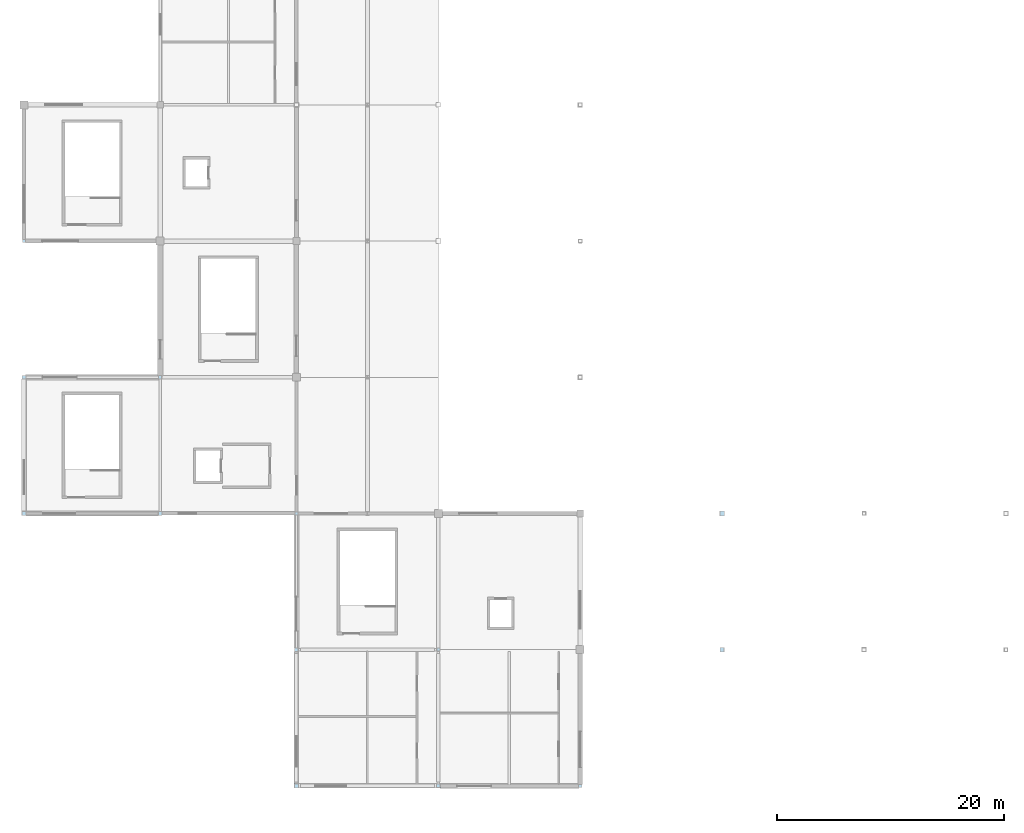
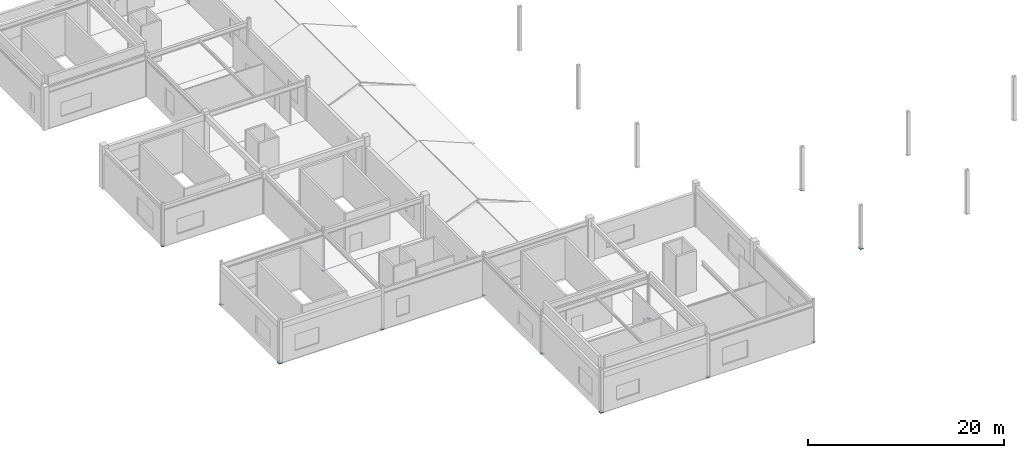
# One storey, part 51 of 76: 13 plates.
"""IFC4 building model written with IfcOpenShell, lengths in metres."""

from ifc_helpers import new_model, si_unit, direction, frame, origin, origin_2d, place, context, subcontext, project, spatial, rectangle, extrude, material, layer, layer_set, type_object, element, save


model = new_model("IFC4")

# Units and contexts
model_context = context("Model", 3, precision=1e-05, world=origin(), true_north=direction((0.0, 1.0)))
body_context = subcontext(model_context, "Body", "Model", "MODEL_VIEW")
ifc_project = project(units=[si_unit("LENGTHUNIT", "METRE"), si_unit("AREAUNIT", "SQUARE_METRE"), si_unit("VOLUMEUNIT", "CUBIC_METRE"), si_unit("PLANEANGLEUNIT", "RADIAN"), si_unit("MASSUNIT", "GRAM", prefix="KILO")], contexts=[model_context])

# Site, building, storey
site_placement = place(None, origin())
site = spatial("IfcSite", under=ifc_project, at=site_placement, CompositionType="ELEMENT")
building_placement = place(site_placement, origin())
building = spatial("IfcBuilding", under=site, at=building_placement, Name="Kazenohara Klinker Stadium", CompositionType="ELEMENT")
storey_placement = place(building_placement, frame((0.0, 0.0, 25.800048828125)))
storey = spatial("IfcBuildingStorey", under=building, at=storey_placement, Name="L05", CompositionType="ELEMENT", Elevation=25.800048828125)

# Plates
ifc_material = material(Name="Steel S355", Category="steel")
ifc_layer_1 = layer(ifc_material, 0.02001953125)
ifc_layer_set_1 = layer_set([ifc_layer_1], Name="Steel S355")
plate_type_1 = type_object("IfcPlateType", Name="PLT-GP01", PredefinedType="USERDEFINED", material=ifc_layer_set_1)
for number, where, z_axis, x_axis, name in (
    (1, (0.0, 60.0, -0.010009765625), (0.0, 0.0, 1.0), (1.0, 0.0, 0.0), "Hollow column end-cap plate GP01 L05 1/F"),
    (2, (12.0, 48.0, -0.010009765625), (0.0, 0.0, 1.0), (1.0, 0.0, 0.0), "Hollow column end-cap plate GP01 L05 2/E"),
    (3, (24.0, 36.0, -0.010009765625), (0.0, 0.0, 1.0), (1.0, 0.0, 0.0), "Hollow column end-cap plate GP01 L05 3/D"),
):
    element("IfcPlate", number, at=place(storey_placement, frame(where, z_axis=z_axis, x_axis=x_axis)), inside=storey, type_object=plate_type_1, Name=name, ObjectType="GUSSET PLATE", PredefinedType="USERDEFINED", context=body_context, shape_type="SweptSolid", body=[
        extrude(rectangle(XDim=0.2900390625, YDim=0.2900390625, at=origin_2d()), origin(), (0.0, 0.0, 1.0), 0.02001953125),
    ])
plate_1_placement = place(storey_placement, frame((36.5, 12.0, -0.010009765625), z_axis=(0.0, 0.0, 1.0), x_axis=(1.0, 0.0, 0.0)))
element("IfcPlate", 4, at=plate_1_placement, inside=storey, type_object=plate_type_1, Name="Hollow column end-cap plate GP01 L05 4/B", ObjectType="GUSSET PLATE", PredefinedType="USERDEFINED", context=body_context, shape_type="SweptSolid", body=[
    extrude(rectangle(XDim=0.340087890625, YDim=0.340087890625, at=origin_2d()), origin(), (0.0, 0.0, 1.0), 0.02001953125),
])
plate_2_placement = place(storey_placement, frame((49.0, 12.0, -0.010009765625), z_axis=(0.0, 0.0, 1.0), x_axis=(1.0, 0.0, 0.0)))
element("IfcPlate", 5, at=plate_2_placement, inside=storey, type_object=plate_type_1, Name="Hollow column end-cap plate GP01 L05 5/B", ObjectType="GUSSET PLATE", PredefinedType="USERDEFINED", context=body_context, shape_type="SweptSolid", body=[
    extrude(rectangle(XDim=0.2900390625, YDim=0.2900390625, at=origin_2d()), origin(), (0.0, 0.0, 1.0), 0.02001953125),
])
ifc_layer_2 = layer(ifc_material, 0.02197265625)
ifc_layer_set_2 = layer_set([ifc_layer_2], Name="Steel S355")
plate_type_2 = type_object("IfcPlateType", Name="PLT-GP02", PredefinedType="USERDEFINED", material=ifc_layer_set_2)
for number, where, z_axis, x_axis, name in (
    (6, (0.0, 48.0, -0.010986328125), (0.0, 0.0, 1.0), (1.0, 0.0, 0.0), "Hollow column end-cap plate GP02 L05 1/E"),
    (7, (12.0, 36.0, -0.010986328125), (0.0, 0.0, 1.0), (1.0, 0.0, 0.0), "Hollow column end-cap plate GP02 L05 2/D"),
    (8, (24.0, 24.0, -0.010986328125), (0.0, 0.0, 1.0), (1.0, 0.0, 0.0), "Hollow column end-cap plate GP02 L05 3/C"),
):
    element("IfcPlate", number, at=place(storey_placement, frame(where, z_axis=z_axis, x_axis=x_axis)), inside=storey, type_object=plate_type_2, Name=name, ObjectType="GUSSET PLATE", PredefinedType="USERDEFINED", context=body_context, shape_type="SweptSolid", body=[
        extrude(rectangle(XDim=0.340087890625, YDim=0.340087890625, at=origin_2d()), origin(), (0.0, 0.0, 1.0), 0.02197265625),
    ])
ifc_layer_3 = layer(ifc_material, 0.02392578125)
ifc_layer_set_3 = layer_set([ifc_layer_3], Name="Steel S355")
plate_type_3 = type_object("IfcPlateType", Name="PLT-GP03", PredefinedType="USERDEFINED", material=ifc_layer_set_3)
for number, where, z_axis, x_axis, name in (
    (9, (0.0, 36.0, -0.011962890625), (0.0, 0.0, 1.0), (1.0, 0.0, 0.0), "Hollow column end-cap plate GP03 L05 1/D"),
    (10, (24.0, 12.0, -0.011962890625), (0.0, 0.0, 1.0), (1.0, 0.0, 0.0), "Hollow column end-cap plate GP03 L05 3/B"),
):
    element("IfcPlate", number, at=place(storey_placement, frame(where, z_axis=z_axis, x_axis=x_axis)), inside=storey, type_object=plate_type_3, Name=name, ObjectType="GUSSET PLATE", PredefinedType="USERDEFINED", context=body_context, shape_type="SweptSolid", body=[
        extrude(rectangle(XDim=0.389892578125, YDim=0.389892578125, at=origin_2d()), origin(), (0.0, 0.0, 1.0), 0.02392578125),
    ])
plate_3_placement = place(storey_placement, frame((61.5, 36.0, -0.011962890625), z_axis=(0.0, 0.0, 1.0), x_axis=(1.0, 0.0, 0.0)))
element("IfcPlate", 11, at=plate_3_placement, inside=storey, type_object=plate_type_3, Name="Hollow column end-cap plate GP03 L05 6/D", ObjectType="GUSSET PLATE", PredefinedType="USERDEFINED", context=body_context, shape_type="SweptSolid", body=[
    extrude(rectangle(XDim=0.43994140625, YDim=0.43994140625, at=origin_2d()), origin(), (0.0, 0.0, 1.0), 0.02392578125),
])
ifc_layer_4 = layer(ifc_material, 0.02490234375)
ifc_layer_set_4 = layer_set([ifc_layer_4], Name="Steel S355")
plate_type_4 = type_object("IfcPlateType", Name="PLT-GP04", PredefinedType="USERDEFINED", material=ifc_layer_set_4)
plate_4_placement = place(storey_placement, frame((36.5, 24.0, -0.012451171875), z_axis=(0.0, 0.0, 1.0), x_axis=(1.0, 0.0, 0.0)))
element("IfcPlate", 12, at=plate_4_placement, inside=storey, type_object=plate_type_4, Name="Hollow column end-cap plate GP04 L05 4/C", ObjectType="GUSSET PLATE", PredefinedType="USERDEFINED", context=body_context, shape_type="SweptSolid", body=[
    extrude(rectangle(XDim=0.2900390625, YDim=0.2900390625, at=origin_2d()), origin(), (0.0, 0.0, 1.0), 0.02490234375),
])
plate_5_placement = place(storey_placement, frame((61.5, 24.0, -0.012451171875), z_axis=(0.0, 0.0, 1.0), x_axis=(1.0, 0.0, 0.0)))
element("IfcPlate", 13, at=plate_5_placement, inside=storey, type_object=plate_type_4, Name="Hollow column end-cap plate GP04 L05 6/C", ObjectType="GUSSET PLATE", PredefinedType="USERDEFINED", context=body_context, shape_type="SweptSolid", body=[
    extrude(rectangle(XDim=0.389892578125, YDim=0.389892578125, at=origin_2d()), origin(), (0.0, 0.0, 1.0), 0.02490234375),
])

save(model, "model.ifc")
